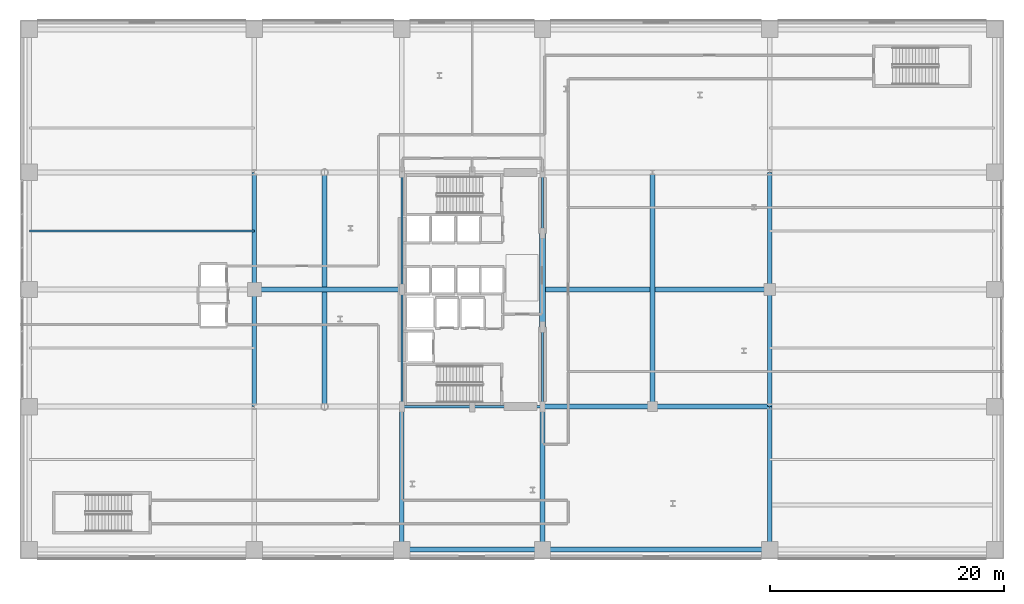
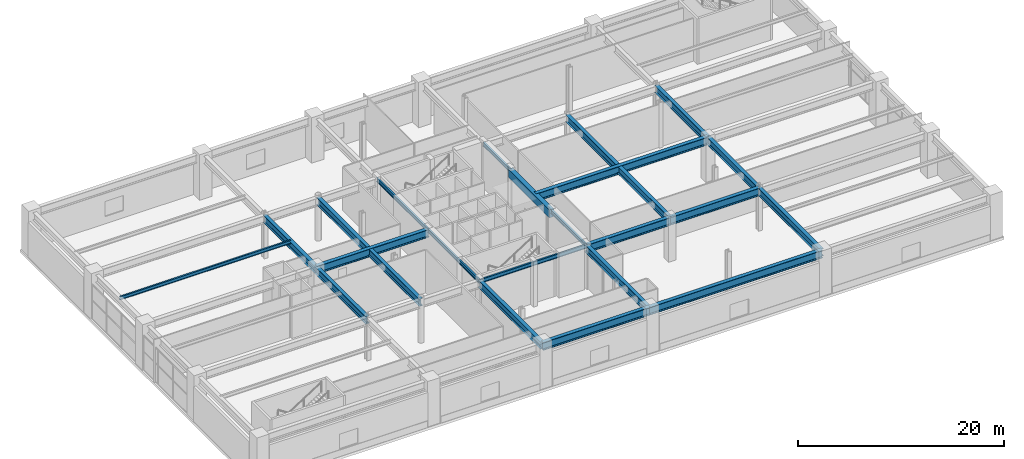
# One storey, part 10 of 28: 23 beams.
"""IFC4 building model written with IfcOpenShell, lengths in metres."""

from ifc_helpers import new_model, si_unit, direction, frame, origin, origin_2d, place, context, subcontext, project, spatial, rectangle, i_section, extrude, material, material_profile, profile_set, type_object, element, save


model = new_model("IFC4")

# Units and contexts
model_context = context("Model", 3, precision=1e-05, world=origin(), true_north=direction((0.0, 1.0)))
body_context = subcontext(model_context, "Body", "Model", "MODEL_VIEW")
ifc_project = project(units=[si_unit("LENGTHUNIT", "METRE"), si_unit("AREAUNIT", "SQUARE_METRE"), si_unit("VOLUMEUNIT", "CUBIC_METRE"), si_unit("PLANEANGLEUNIT", "RADIAN"), si_unit("MASSUNIT", "GRAM", prefix="KILO")], contexts=[model_context])

# Site, building, storey
site_placement = place(None, origin())
site = spatial("IfcSite", under=ifc_project, at=site_placement, CompositionType="ELEMENT")
building_placement = place(site_placement, origin())
building = spatial("IfcBuilding", under=site, at=building_placement, Name="Soratama Intermodal Tower", CompositionType="ELEMENT")
storey_placement = place(building_placement, frame((0.0, 0.0, 6.0)))
storey = spatial("IfcBuildingStorey", under=building, at=storey_placement, Name="L01", CompositionType="ELEMENT", Elevation=6.0)

# Beams
ifc_material_1 = material(Name="Concrete f'c 56 MPa", Category="concrete")
ifc_material_profile_1 = material_profile(ifc_material_1, rectangle(XDim=0.5, YDim=0.949951171875, at=origin_2d()), Name="RC500X950")
ifc_profile_set_1 = profile_set([ifc_material_profile_1], Name="Concrete f'c 56 MPa")
beam_type_1 = type_object("IfcBeamType", Name="BM-CPL-RC500X950", PredefinedType="BEAM", material=ifc_profile_set_1)
beam_1_placement = place(storey_placement, frame((44.60009765625, 21.800048828125, 4.60498046875), z_axis=(0.0, 1.0, 0.0), x_axis=(-1.0, 0.0, 0.0)))
element("IfcBeam", 1, at=beam_1_placement, inside=storey, type_object=beam_type_1, Name="L01 Core Coupling Beam East", PredefinedType="BEAM", context=body_context, shape_type="SweptSolid", body=[
    extrude(rectangle(XDim=0.5, YDim=0.949951171875, at=origin_2d()), origin(), (0.0, 0.0, 1.0), 8.0),
])
ifc_material_2 = material(Name="Structural steel ASTM A992 Grade 50", Category="steel")
ifc_material_profile_2 = material_profile(ifc_material_2, i_section(OverallWidth=0.19091796875, OverallDepth=0.4599609375, WebThickness=0.010009765625, FlangeThickness=0.01611328125, FilletRadius=0.010986328125, at=origin_2d()), Name="W18X55")
ifc_profile_set_2 = profile_set([ifc_material_profile_2], Name="Structural steel ASTM A992 Grade 50")
beam_type_2 = type_object("IfcBeamType", Name="BM-FLR-W18X55", PredefinedType="BEAM", material=ifc_profile_set_2)
for number, where, z_axis, x_axis, name in (
    (2, (32.60009765625, 15.0, 4.85009765625), (1.0, 0.0, 0.0), (0.0, 1.0, 0.0), "BM-L01-CRING-01"),
    (3, (38.60009765625, 15.0, 4.85009765625), (1.0, 0.0, 0.0), (0.0, 1.0, 0.0), "BM-L01-CRING-02"),
):
    element("IfcBeam", number, at=place(storey_placement, frame(where, z_axis=z_axis, x_axis=x_axis)), inside=storey, type_object=beam_type_2, Name=name, PredefinedType="BEAM", context=body_context, shape_type="SweptSolid", body=[
        extrude(i_section(OverallWidth=0.19091796875, OverallDepth=0.4599609375, WebThickness=0.010009765625, FlangeThickness=0.01611328125, FilletRadius=0.010986328125, at=origin_2d()), origin(), (0.0, 0.0, 1.0), 6.0),
    ])
beam_2_placement = place(storey_placement, frame((44.60009765625, 15.0, 4.85009765625), z_axis=(0.0, 1.0, 0.0), x_axis=(-1.0, 0.0, 0.0)))
element("IfcBeam", 4, at=beam_2_placement, inside=storey, type_object=beam_type_2, Name="BM-L01-CRING-03", PredefinedType="BEAM", context=body_context, shape_type="SweptSolid", body=[
    extrude(i_section(OverallWidth=0.19091796875, OverallDepth=0.4599609375, WebThickness=0.010009765625, FlangeThickness=0.01611328125, FilletRadius=0.010986328125, at=origin_2d()), origin(), (0.0, 0.0, 1.0), 6.800048828125),
])
beam_3_placement = place(storey_placement, frame((44.60009765625, 29.800048828125, 4.85009765625), z_axis=(0.0, 1.0, 0.0), x_axis=(-1.0, 0.0, 0.0)))
element("IfcBeam", 5, at=beam_3_placement, inside=storey, type_object=beam_type_2, Name="BM-L01-CRING-05", PredefinedType="BEAM", context=body_context, shape_type="SweptSolid", body=[
    extrude(i_section(OverallWidth=0.19091796875, OverallDepth=0.4599609375, WebThickness=0.010009765625, FlangeThickness=0.01611328125, FilletRadius=0.010986328125, at=origin_2d()), origin(), (0.0, 0.0, 1.0), 5.199951171875),
])
for number, where, z_axis, x_axis, name in (
    (6, (32.60009765625, 35.0, 4.85009765625), (0.0, -1.0, 0.0), (1.0, 0.0, 0.0), "BM-L01-CRING-08"),
    (7, (32.60009765625, 25.0, 4.85009765625), (0.0, -1.0, 0.0), (1.0, 0.0, 0.0), "BM-L01-CRING-09"),
):
    element("IfcBeam", number, at=place(storey_placement, frame(where, z_axis=z_axis, x_axis=x_axis)), inside=storey, type_object=beam_type_2, Name=name, PredefinedType="BEAM", context=body_context, shape_type="SweptSolid", body=[
        extrude(i_section(OverallWidth=0.19091796875, OverallDepth=0.4599609375, WebThickness=0.010009765625, FlangeThickness=0.01611328125, FilletRadius=0.010986328125, at=origin_2d()), origin(), (0.0, 0.0, 1.0), 10.0),
    ])
ifc_material_3 = material(Name="Structural steel ASTM A992 Grade 50", Category="steel")
ifc_material_profile_3 = material_profile(ifc_material_3, i_section(OverallWidth=0.177978515625, OverallDepth=0.406982421875, WebThickness=0.0078125, FlangeThickness=0.0126953125, FilletRadius=0.010009765625, at=origin_2d()), Name="W16X40")
ifc_profile_set_3 = profile_set([ifc_material_profile_3], Name="Structural steel ASTM A992 Grade 50")
beam_type_3 = type_object("IfcBeamType", Name="BM-JST-W16X40", PredefinedType="JOIST", material=ifc_profile_set_3)
beam_4_placement = place(storey_placement, frame((0.800048828125, 30.0, 4.87646484375), z_axis=(1.0, 0.0, 0.0), x_axis=(0.0, 1.0, 0.0)))
element("IfcBeam", 8, at=beam_4_placement, inside=storey, type_object=beam_type_3, Name="JST-L01-W3", PredefinedType="JOIST", context=body_context, shape_type="SweptSolid", body=[
    extrude(i_section(OverallWidth=0.177978515625, OverallDepth=0.406982421875, WebThickness=0.0078125, FlangeThickness=0.0126953125, FilletRadius=0.010009765625, at=origin_2d()), origin(), (0.0, 0.0, 1.0), 19.199951171875),
])
ifc_material_4 = material(Name="Structural steel ASTM A992 Grade 50", Category="steel")
ifc_material_profile_4 = material_profile(ifc_material_4, i_section(OverallWidth=0.423095703125, OverallDepth=0.93896484375, WebThickness=0.02392578125, FlangeThickness=0.042724609375, FilletRadius=0.02392578125, at=origin_2d()), Name="W36X302")
ifc_profile_set_4 = profile_set([ifc_material_profile_4], Name="Structural steel ASTM A992 Grade 50")
beam_type_4 = type_object("IfcBeamType", Name="BM-POD-EXT-W36", PredefinedType="BEAM", material=ifc_profile_set_4)
beam_5_placement = place(storey_placement, frame((32.60009765625, 2.800048828125, 4.610595703125), z_axis=(1.0, 0.0, 0.0), x_axis=(0.0, 1.0, 0.0)))
element("IfcBeam", 9, at=beam_5_placement, inside=storey, type_object=beam_type_4, Name="L01 Station Girder X1-3", PredefinedType="BEAM", context=body_context, shape_type="SweptSolid", body=[
    extrude(i_section(OverallWidth=0.423095703125, OverallDepth=0.93896484375, WebThickness=0.02392578125, FlangeThickness=0.042724609375, FilletRadius=0.02392578125, at=origin_2d()), origin(), (0.0, 0.0, 1.0), 12.0),
])
beam_6_placement = place(storey_placement, frame((44.60009765625, 2.800048828125, 4.610595703125), z_axis=(1.0, 0.0, 0.0), x_axis=(0.0, 1.0, 0.0)))
element("IfcBeam", 10, at=beam_6_placement, inside=storey, type_object=beam_type_4, Name="L01 Station Girder X1-4", PredefinedType="BEAM", context=body_context, shape_type="SweptSolid", body=[
    extrude(i_section(OverallWidth=0.423095703125, OverallDepth=0.93896484375, WebThickness=0.02392578125, FlangeThickness=0.042724609375, FilletRadius=0.02392578125, at=origin_2d()), origin(), (0.0, 0.0, 1.0), 19.39990234375),
])
ifc_material_5 = material(Name="Structural steel ASTM A992 Grade 50", Category="steel")
ifc_material_profile_5 = material_profile(ifc_material_5, i_section(OverallWidth=0.403076171875, OverallDepth=0.867919921875, WebThickness=0.02099609375, FlangeThickness=0.03564453125, FilletRadius=0.01806640625, at=origin_2d()), Name="W33X241")
ifc_profile_set_5 = profile_set([ifc_material_profile_5], Name="Structural steel ASTM A992 Grade 50")
beam_type_5 = type_object("IfcBeamType", Name="BM-POD-W33X241", PredefinedType="BEAM", material=ifc_profile_set_5)
for number, where, z_axis, x_axis, name in (
    (11, (20.0, 15.0, 4.64599609375), (0.0, 1.0, 0.0), (-1.0, 0.0, 0.0), "L01 Station Girder Y2-2"),
    (12, (20.0, 25.0, 4.64599609375), (0.0, 1.0, 0.0), (-1.0, 0.0, 0.0), "L01 Station Girder Y2-3"),
):
    element("IfcBeam", number, at=place(storey_placement, frame(where, z_axis=z_axis, x_axis=x_axis)), inside=storey, type_object=beam_type_5, Name=name, PredefinedType="BEAM", context=body_context, shape_type="SweptSolid", body=[
        extrude(i_section(OverallWidth=0.403076171875, OverallDepth=0.867919921875, WebThickness=0.02099609375, FlangeThickness=0.03564453125, FilletRadius=0.01806640625, at=origin_2d()), origin(), (0.0, 0.0, 1.0), 10.0),
    ])
beam_7_placement = place(storey_placement, frame((64.0, 2.800048828125, 4.64599609375), z_axis=(0.0, 1.0, 0.0), x_axis=(-1.0, 0.0, 0.0)))
element("IfcBeam", 13, at=beam_7_placement, inside=storey, type_object=beam_type_5, Name="L01 Station Girder Y3-1", PredefinedType="BEAM", context=body_context, shape_type="SweptSolid", body=[
    extrude(i_section(OverallWidth=0.403076171875, OverallDepth=0.867919921875, WebThickness=0.02099609375, FlangeThickness=0.03564453125, FilletRadius=0.01806640625, at=origin_2d()), origin(), (0.0, 0.0, 1.0), 12.199951171875),
])
for number, where, z_axis, x_axis, name in (
    (14, (64.0, 15.0, 4.64599609375), (0.0, 1.0, 0.0), (-1.0, 0.0, 0.0), "L01 Station Girder Y3-2"),
    (15, (64.0, 25.0, 4.64599609375), (0.0, 1.0, 0.0), (-1.0, 0.0, 0.0), "L01 Station Girder Y3-3"),
):
    element("IfcBeam", number, at=place(storey_placement, frame(where, z_axis=z_axis, x_axis=x_axis)), inside=storey, type_object=beam_type_5, Name=name, PredefinedType="BEAM", context=body_context, shape_type="SweptSolid", body=[
        extrude(i_section(OverallWidth=0.403076171875, OverallDepth=0.867919921875, WebThickness=0.02099609375, FlangeThickness=0.03564453125, FilletRadius=0.01806640625, at=origin_2d()), origin(), (0.0, 0.0, 1.0), 10.0),
    ])
for number, where, z_axis, x_axis, name in (
    (16, (32.60009765625, 2.800048828125, 4.64599609375), (0.0, 1.0, 0.0), (-1.0, 0.0, 0.0), "BM-L01-GYC-1-1"),
    (17, (44.60009765625, 2.800048828125, 4.64599609375), (0.0, 1.0, 0.0), (-1.0, 0.0, 0.0), "BM-L01-GYC-2-1"),
):
    element("IfcBeam", number, at=place(storey_placement, frame(where, z_axis=z_axis, x_axis=x_axis)), inside=storey, type_object=beam_type_5, Name=name, PredefinedType="BEAM", context=body_context, shape_type="SweptSolid", body=[
        extrude(i_section(OverallWidth=0.403076171875, OverallDepth=0.867919921875, WebThickness=0.02099609375, FlangeThickness=0.03564453125, FilletRadius=0.01806640625, at=origin_2d()), origin(), (0.0, 0.0, 1.0), 12.199951171875),
    ])
for number, where, z_axis, x_axis, name in (
    (18, (26.0, 15.0, 4.64599609375), (0.0, 1.0, 0.0), (-1.0, 0.0, 0.0), "BM-L01-GYS-1"),
    (19, (54.0, 15.0, 4.64599609375), (0.0, 1.0, 0.0), (-1.0, 0.0, 0.0), "BM-L01-GYS-2"),
):
    element("IfcBeam", number, at=place(storey_placement, frame(where, z_axis=z_axis, x_axis=x_axis)), inside=storey, type_object=beam_type_5, Name=name, PredefinedType="BEAM", context=body_context, shape_type="SweptSolid", body=[
        extrude(i_section(OverallWidth=0.403076171875, OverallDepth=0.867919921875, WebThickness=0.02099609375, FlangeThickness=0.03564453125, FilletRadius=0.01806640625, at=origin_2d()), origin(), (0.0, 0.0, 1.0), 20.0),
    ])
ifc_material_6 = material(Name="Structural steel ASTM A992 Grade 50", Category="steel")
ifc_material_profile_6 = material_profile(ifc_material_6, i_section(OverallWidth=0.423095703125, OverallDepth=0.93896484375, WebThickness=0.02392578125, FlangeThickness=0.042724609375, FilletRadius=0.02392578125, at=origin_2d()), Name="W36X302")
ifc_profile_set_6 = profile_set([ifc_material_profile_6], Name="Structural steel ASTM A992 Grade 50")
beam_type_6 = type_object("IfcBeamType", Name="BM-POD-W36X302", PredefinedType="BEAM", material=ifc_profile_set_6)
beam_8_placement = place(storey_placement, frame((44.60009765625, 15.0, 4.610595703125), z_axis=(1.0, 0.0, 0.0), x_axis=(0.0, 1.0, 0.0)))
element("IfcBeam", 20, at=beam_8_placement, inside=storey, type_object=beam_type_6, Name="L01 Station Girder X2-4", PredefinedType="BEAM", context=body_context, shape_type="SweptSolid", body=[
    extrude(i_section(OverallWidth=0.423095703125, OverallDepth=0.93896484375, WebThickness=0.02392578125, FlangeThickness=0.042724609375, FilletRadius=0.02392578125, at=origin_2d()), origin(), (0.0, 0.0, 1.0), 9.39990234375),
])
beam_9_placement = place(storey_placement, frame((54.0, 15.0, 4.610595703125), z_axis=(1.0, 0.0, 0.0), x_axis=(0.0, 1.0, 0.0)))
element("IfcBeam", 21, at=beam_9_placement, inside=storey, type_object=beam_type_6, Name="L01 Station Girder X2-5", PredefinedType="BEAM", context=body_context, shape_type="SweptSolid", body=[
    extrude(i_section(OverallWidth=0.423095703125, OverallDepth=0.93896484375, WebThickness=0.02392578125, FlangeThickness=0.042724609375, FilletRadius=0.02392578125, at=origin_2d()), origin(), (0.0, 0.0, 1.0), 10.0),
])
beam_10_placement = place(storey_placement, frame((20.0, 25.0, 4.610595703125), z_axis=(1.0, 0.0, 0.0), x_axis=(0.0, 1.0, 0.0)))
element("IfcBeam", 22, at=beam_10_placement, inside=storey, type_object=beam_type_6, Name="L01 Station Girder X3-1", PredefinedType="BEAM", context=body_context, shape_type="SweptSolid", body=[
    extrude(i_section(OverallWidth=0.423095703125, OverallDepth=0.93896484375, WebThickness=0.02392578125, FlangeThickness=0.042724609375, FilletRadius=0.02392578125, at=origin_2d()), origin(), (0.0, 0.0, 1.0), 12.60009765625),
])
beam_11_placement = place(storey_placement, frame((44.60009765625, 25.0, 4.610595703125), z_axis=(1.0, 0.0, 0.0), x_axis=(0.0, 1.0, 0.0)))
element("IfcBeam", 23, at=beam_11_placement, inside=storey, type_object=beam_type_6, Name="L01 Station Girder X3-2", PredefinedType="BEAM", context=body_context, shape_type="SweptSolid", body=[
    extrude(i_section(OverallWidth=0.423095703125, OverallDepth=0.93896484375, WebThickness=0.02392578125, FlangeThickness=0.042724609375, FilletRadius=0.02392578125, at=origin_2d()), origin(), (0.0, 0.0, 1.0), 19.39990234375),
])

save(model, "model.ifc")
